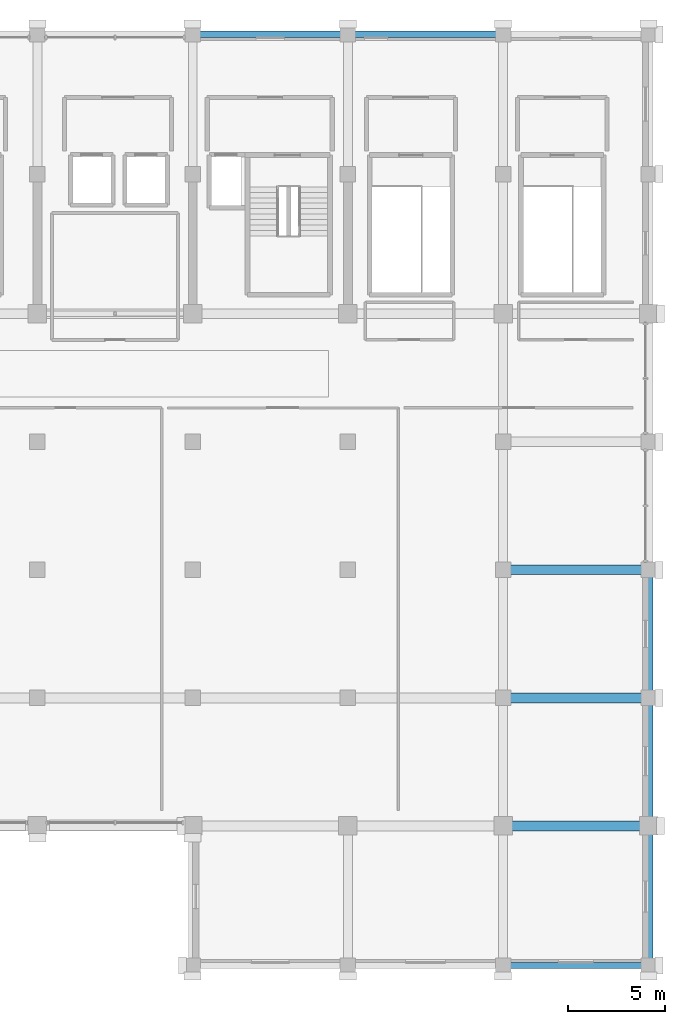
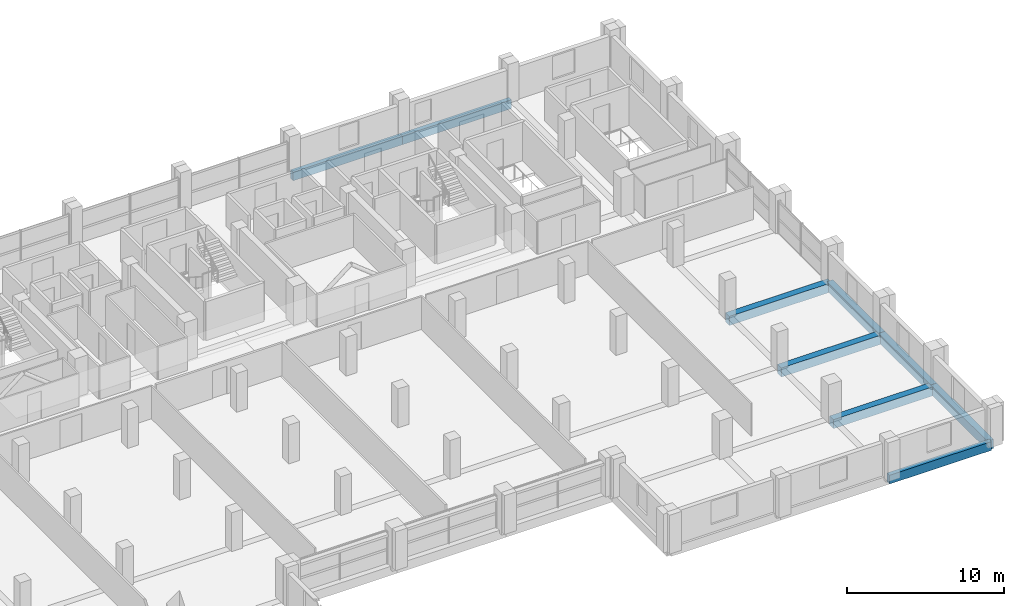
# One storey, part 13 of 21: 9 beams.
"""IFC4 building model written with IfcOpenShell, lengths in metres."""

from ifc_helpers import new_model, si_unit, direction, frame, origin, origin_2d, place, context, subcontext, project, spatial, rectangle, extrude, material, material_profile, profile_set, type_object, element, save


model = new_model("IFC4")

# Units and contexts
model_context = context("Model", 3, precision=1e-05, world=origin(), true_north=direction((0.0, 1.0)))
body_context = subcontext(model_context, "Body", "Model", "MODEL_VIEW")
ifc_project = project(units=[si_unit("LENGTHUNIT", "METRE"), si_unit("AREAUNIT", "SQUARE_METRE"), si_unit("VOLUMEUNIT", "CUBIC_METRE"), si_unit("PLANEANGLEUNIT", "RADIAN"), si_unit("MASSUNIT", "GRAM", prefix="KILO")], contexts=[model_context])

# Site, building, storey
site_placement = place(None, origin())
site = spatial("IfcSite", under=ifc_project, at=site_placement, CompositionType="ELEMENT")
building_placement = place(site_placement, origin())
building = spatial("IfcBuilding", under=site, at=building_placement, Name="Akrevak Sports Hall", CompositionType="ELEMENT")
storey_placement = place(building_placement, frame((0.0, 0.0, 37.300048828125)))
storey = spatial("IfcBuildingStorey", under=building, at=storey_placement, Name="L08", CompositionType="ELEMENT", Elevation=37.300048828125)

# Beams
ifc_material = material(Name="Concrete C40/50", Category="concrete")
ifc_material_profile_1 = material_profile(ifc_material, rectangle(XDim=0.449951171875, YDim=0.699951171875, at=origin_2d()), Name="BM 450x700", Category="concrete")
ifc_profile_set_1 = profile_set([ifc_material_profile_1], Name="Concrete C40/50")
beam_type_1 = type_object("IfcBeamType", Name="STR-BM-RC450x700", PredefinedType="BEAM", material=ifc_profile_set_1)
beam_1_placement = place(storey_placement, frame((115.5, 21.60009765625, -0.35009765625), z_axis=(0.0, 1.0, 0.0), x_axis=(-1.0, 0.0, 0.0)))
element("IfcBeam", 1, at=beam_1_placement, inside=storey, type_object=beam_type_1, Name="Girder 16/D-E (L08)", PredefinedType="BEAM", context=body_context, shape_type="SweptSolid", body=[
    extrude(rectangle(XDim=0.449951171875, YDim=0.699951171875, at=origin_2d()), origin(), (0.0, 0.0, 1.0), 7.199951171875),
])
beam_2_placement = place(storey_placement, frame((115.5, 28.800048828125, -0.35009765625), z_axis=(0.0, 1.0, 0.0), x_axis=(-1.0, 0.0, 0.0)))
element("IfcBeam", 2, at=beam_2_placement, inside=storey, type_object=beam_type_1, Name="Girder 16/E-F (L08)", PredefinedType="BEAM", context=body_context, shape_type="SweptSolid", body=[
    extrude(rectangle(XDim=0.449951171875, YDim=0.699951171875, at=origin_2d()), origin(), (0.0, 0.0, 1.0), 6.599853515625),
])
beam_3_placement = place(storey_placement, frame((115.5, 35.39990234375, -0.35009765625), z_axis=(0.0, 1.0, 0.0), x_axis=(-1.0, 0.0, 0.0)))
element("IfcBeam", 3, at=beam_3_placement, inside=storey, type_object=beam_type_1, Name="Girder 16/F-G (L08)", PredefinedType="BEAM", context=body_context, shape_type="SweptSolid", body=[
    extrude(rectangle(XDim=0.449951171875, YDim=0.699951171875, at=origin_2d()), origin(), (0.0, 0.0, 1.0), 6.60009765625),
])
ifc_material_profile_2 = material_profile(ifc_material, rectangle(XDim=0.5, YDim=0.699951171875, at=origin_2d()), Name="BM 500x700", Category="concrete")
ifc_profile_set_2 = profile_set([ifc_material_profile_2], Name="Concrete C40/50")
beam_type_2 = type_object("IfcBeamType", Name="STR-BM-RC500x700", PredefinedType="BEAM", material=ifc_profile_set_2)
for number, where, z_axis, x_axis, name in (
    (4, (108.0, 28.800048828125, -0.35009765625), (1.0, 0.0, 0.0), (0.0, 1.0, 0.0), "Girder E/15-16 (L08)"),
    (5, (108.0, 35.39990234375, -0.35009765625), (1.0, 0.0, 0.0), (0.0, 1.0, 0.0), "Girder F/15-16 (L08)"),
    (6, (108.0, 42.0, -0.35009765625), (1.0, 0.0, 0.0), (0.0, 1.0, 0.0), "Girder G/15-16 (L08)"),
):
    element("IfcBeam", number, at=place(storey_placement, frame(where, z_axis=z_axis, x_axis=x_axis)), inside=storey, type_object=beam_type_2, Name=name, PredefinedType="BEAM", context=body_context, shape_type="SweptSolid", body=[
        extrude(rectangle(XDim=0.5, YDim=0.699951171875, at=origin_2d()), origin(), (0.0, 0.0, 1.0), 7.5),
    ])
ifc_material_profile_3 = material_profile(ifc_material, rectangle(XDim=0.320068359375, YDim=0.679931640625, at=origin_2d()), Name="SPD 320x680", Category="concrete")
ifc_profile_set_3 = profile_set([ifc_material_profile_3], Name="Concrete C40/50")
beam_type_3 = type_object("IfcBeamType", Name="STR-SPD-RC320x680", PredefinedType="SPANDREL", material=ifc_profile_set_3)
beam_4_placement = place(storey_placement, frame((108.0, 21.60009765625, -0.340087890625), z_axis=(1.0, 0.0, 0.0), x_axis=(0.0, 1.0, 0.0)))
element("IfcBeam", 7, at=beam_4_placement, inside=storey, type_object=beam_type_3, Name="Girder D/15-16 (L08)", PredefinedType="SPANDREL", context=body_context, shape_type="SweptSolid", body=[
    extrude(rectangle(XDim=0.320068359375, YDim=0.679931640625, at=origin_2d()), origin(), (0.0, 0.0, 1.0), 7.5),
])
for number, where, z_axis, x_axis, name in (
    (8, (92.0, 69.60009765625, -0.340087890625), (1.0, 0.0, 0.0), (0.0, 1.0, 0.0), "Girder K/13-14 (L08)"),
    (9, (100.0, 69.60009765625, -0.340087890625), (1.0, 0.0, 0.0), (0.0, 1.0, 0.0), "Girder K/14-15 (L08)"),
):
    element("IfcBeam", number, at=place(storey_placement, frame(where, z_axis=z_axis, x_axis=x_axis)), inside=storey, type_object=beam_type_3, Name=name, PredefinedType="SPANDREL", context=body_context, shape_type="SweptSolid", body=[
        extrude(rectangle(XDim=0.320068359375, YDim=0.679931640625, at=origin_2d()), origin(), (0.0, 0.0, 1.0), 8.0),
    ])

save(model, "model.ifc")
